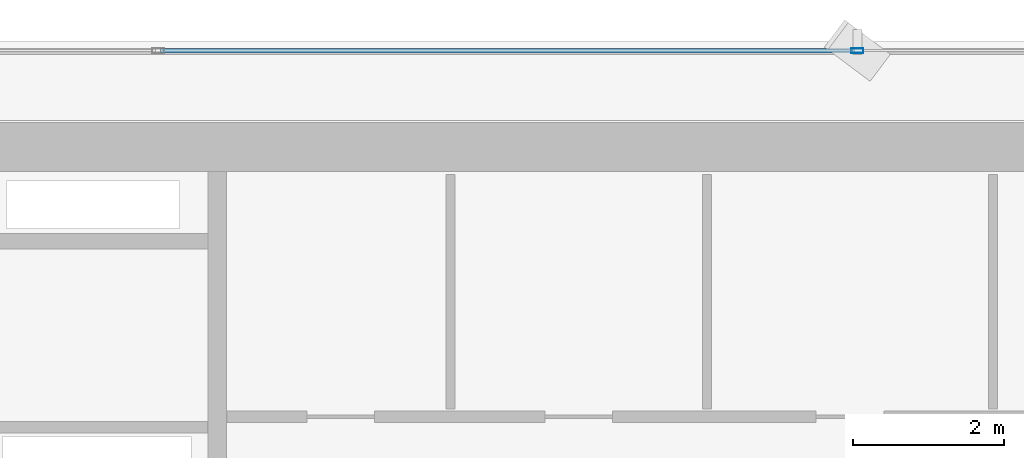
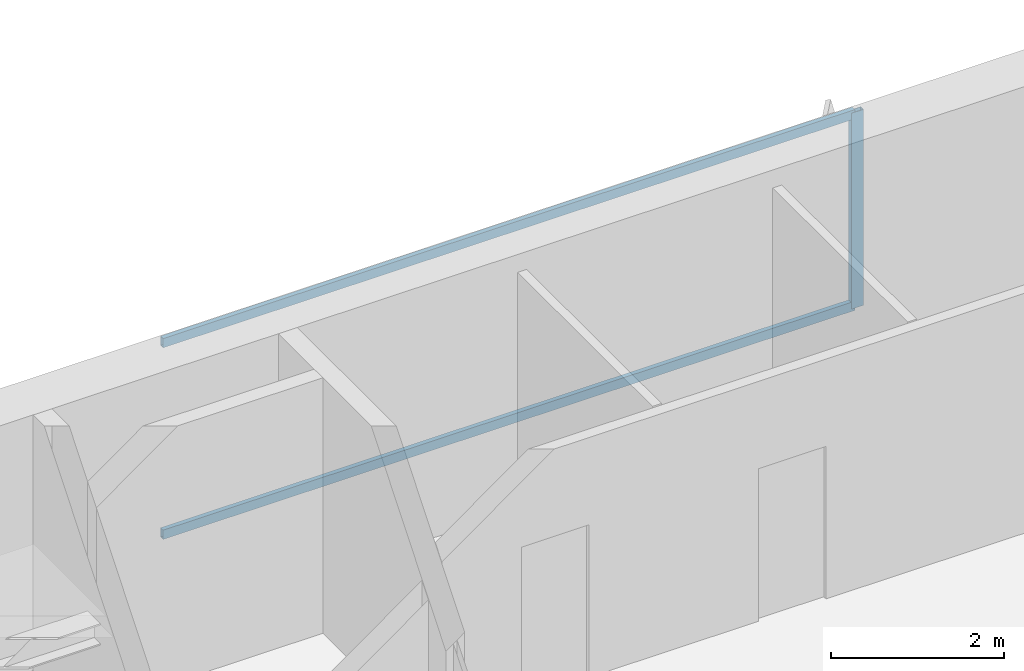
# One storey, part 16 of 27: 3 members, 1 element without a shape of its own.
"""IFC4 building model written with IfcOpenShell, lengths in metres."""

from ifc_helpers import new_model, si_unit, direction, frame, origin, origin_2d, place, context, subcontext, project, spatial, hollow_rectangle, extrude, source, transform, mapped, material, layer, layer_set, material_profile, profile_set, type_object, element, aggregate, save


model = new_model("IFC4")

# Units and contexts
model_context = context("Model", 3, precision=1e-05, world=origin(), true_north=direction((0.0, 1.0)))
body_context = subcontext(model_context, "Body", "Model", "MODEL_VIEW")
ifc_project = project(units=[si_unit("LENGTHUNIT", "METRE"), si_unit("AREAUNIT", "SQUARE_METRE"), si_unit("VOLUMEUNIT", "CUBIC_METRE"), si_unit("PLANEANGLEUNIT", "RADIAN"), si_unit("MASSUNIT", "GRAM", prefix="KILO")], contexts=[model_context])

# Site, building, storey
site_placement = place(None, origin())
site = spatial("IfcSite", under=ifc_project, at=site_placement, CompositionType="ELEMENT")
building_placement = place(site_placement, origin())
building = spatial("IfcBuilding", under=site, at=building_placement, Name="Sumidabori Civic Tower", CompositionType="ELEMENT")
storey_placement = place(building_placement, frame((0.0, 0.0, 156.800048828125)))
storey = spatial("IfcBuildingStorey", under=building, at=storey_placement, Name="L40", CompositionType="ELEMENT", Elevation=156.800048828125)

# Curtain wall, members
ifc_material = material(Name="Anodised Bronze Aluminium AW-6063-T6", Category="aluminium")
ifc_layer = layer(ifc_material, 0.179931640625, Name="Anodised Bronze Aluminium AW-6063-T6")
ifc_layer_set = layer_set([ifc_layer], Name="Anodised Bronze Aluminium AW-6063-T6")
curtain_wall_type = type_object("IfcCurtainWallType", Name="CW-SYS-3", PredefinedType="NOTDEFINED", material=ifc_layer_set)
curtain_wall_placement = place(storey_placement, origin())
curtain_wall = element("IfcCurtainWall", 1, at=curtain_wall_placement, inside=storey, type_object=curtain_wall_type, Name="Curtain Wall CW:L40:R07", PredefinedType="NOTDEFINED")
ifc_material_profile_1 = material_profile(ifc_material, hollow_rectangle(XDim=0.06494140625, YDim=0.159912109375, WallThickness=0.0048828125, at=origin_2d()), Name="ALU MULLION 160x65")
ifc_profile_set_1 = profile_set([ifc_material_profile_1], Name="Anodised Bronze Aluminium AW-6063-T6")
member_type_1 = type_object("IfcMemberType", Name="CW-MUL-160", PredefinedType="MULLION", material=ifc_profile_set_1)
shared_shape_1 = source(origin(), body_context, "Body", "SweptSolid", [
    extrude(hollow_rectangle(XDim=0.06494140625, YDim=0.159912109375, WallThickness=0.0048828125, at=origin_2d()), origin(), (0.0, 0.0, 1.0), 2.760009765625),
])
member_1_placement = place(storey_placement, frame((0.0, 25.080078125, 0.0), z_axis=(0.0, 0.0, 1.0), x_axis=(0.0, -1.0, 0.0)))
member_1 = element("IfcMember", 2, at=member_1_placement, type_object=member_type_1, Name="CW-3 mullion 3", PredefinedType="MULLION", context=body_context, shape_type="MappedRepresentation", body=[
    mapped(shared_shape_1, transform((0.0, 0.0, 0.0), x_axis=(1.0, 0.0, 0.0), y_axis=(0.0, 1.0, 0.0), z_axis=(0.0, 0.0, 1.0), scale=1.0)),
])
ifc_material_profile_2 = material_profile(ifc_material, hollow_rectangle(XDim=0.06005859375, YDim=0.1298828125, WallThickness=0.0048828125, at=origin_2d()), Name="ALU TRANSOM 130x60")
ifc_profile_set_2 = profile_set([ifc_material_profile_2], Name="Anodised Bronze Aluminium AW-6063-T6")
member_type_2 = type_object("IfcMemberType", Name="CW-TRN-130", PredefinedType="USERDEFINED", material=ifc_profile_set_2)
shared_shape_2 = source(origin(), body_context, "Body", "SweptSolid", [
    extrude(hollow_rectangle(XDim=0.06005859375, YDim=0.1298828125, WallThickness=0.0048828125, at=origin_2d()), origin(), (0.0, 0.0, 1.0), 9.219970703125),
])
member_2_placement = place(storey_placement, frame((-0.032470703125, 25.080078125, 0.030029296875), z_axis=(-1.0, 0.0, 0.0), x_axis=(0.0, -1.0, 0.0)))
member_2 = element("IfcMember", 3, at=member_2_placement, type_object=member_type_2, Name="CW-3 transom 3.1", ObjectType="TRANSOM", PredefinedType="USERDEFINED", context=body_context, shape_type="MappedRepresentation", body=[
    mapped(shared_shape_2, transform((0.0, 0.0, 0.0), x_axis=(1.0, 0.0, 0.0), y_axis=(0.0, 1.0, 0.0), z_axis=(0.0, 0.0, 1.0), scale=1.0)),
])
member_3_placement = place(storey_placement, frame((-0.032470703125, 25.080078125, 2.72998046875), z_axis=(-1.0, 0.0, 0.0), x_axis=(0.0, -1.0, 0.0)))
member_3 = element("IfcMember", 4, at=member_3_placement, type_object=member_type_2, Name="CW-3 transom 3.2", ObjectType="TRANSOM", PredefinedType="USERDEFINED", context=body_context, shape_type="MappedRepresentation", body=[
    mapped(shared_shape_2, transform((0.0, 0.0, 0.0), x_axis=(1.0, 0.0, 0.0), y_axis=(0.0, 1.0, 0.0), z_axis=(0.0, 0.0, 1.0), scale=1.0)),
])
aggregate(curtain_wall, [member_1, member_2, member_3])

save(model, "model.ifc")
